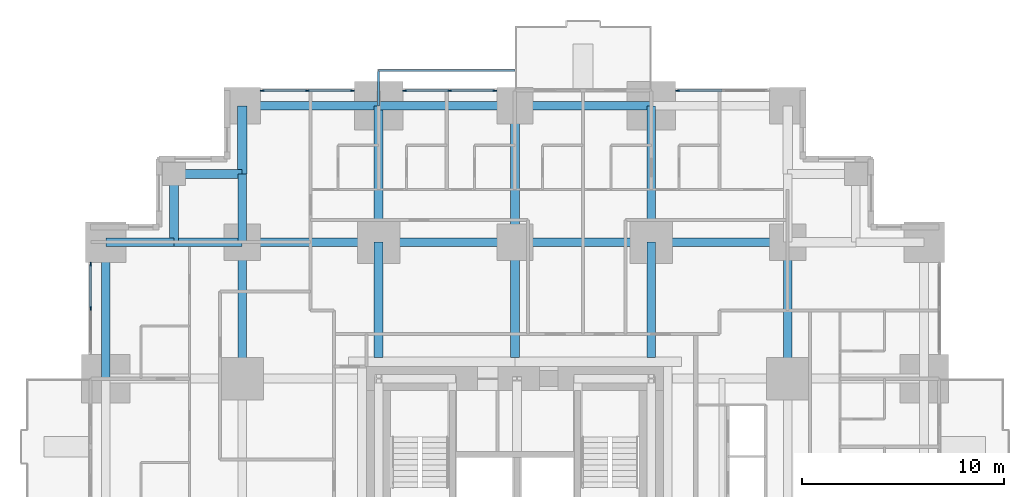
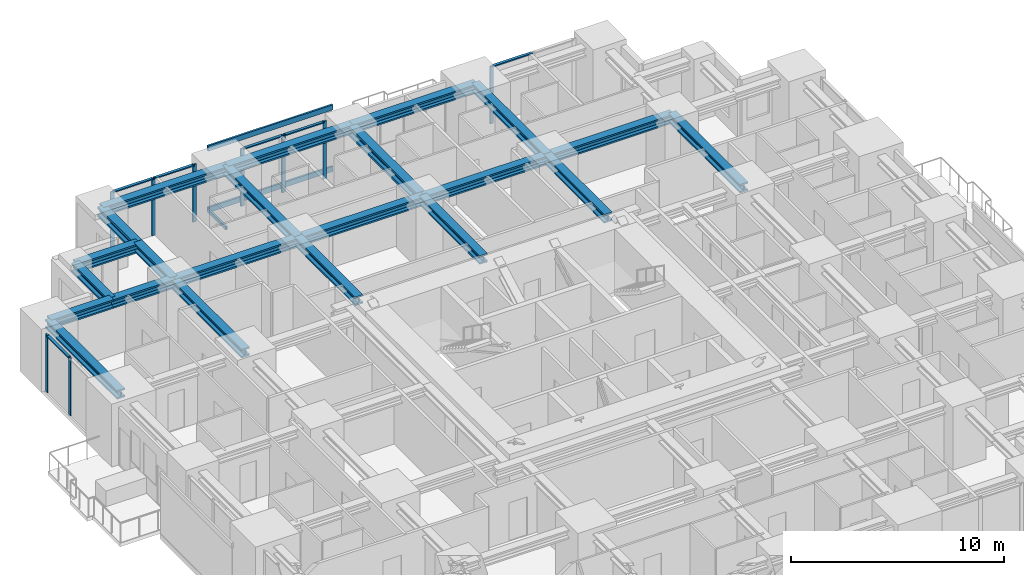
# One storey, part 5 of 15: 22 beams, 18 members, 4 elements without a shape of their own.
"""IFC4 building model written with IfcOpenShell, lengths in metres."""

import ifcopenshell
import ifcopenshell.guid

model = None  # the IFC model being written
_history = None  # IfcOwnerHistory: only IFC2X3 demands one
_inside = {}  # id of a spatial element -> (the spatial element, [elements in it])
_under = {}  # id of a project, library or spatial element -> (it, [spatial elements below it])
_declared = {}  # id of a project -> (the project, [libraries it declares])
_typed = {}  # id of a type object -> (the type object, [elements of that type])
_made_of = {}  # id of a material, layer set ... -> (it, [elements and type objects made of it])


def new_model(schema):
    """Start an empty IFC model of exactly this schema.

    Asked for "IFC4X3", IfcOpenShell would pick the latest addendum, in which some entities
    have other attributes; the version numbers below select the first issue.
    IFC2X3 requires an IfcOwnerHistory on every rooted entity: one is made here for all.
    """
    global model, _history
    if schema == "IFC4X3":
        model = ifcopenshell.file(schema_version=(4, 3, 0, 0))
    else:
        model = ifcopenshell.file(schema=schema)
    _inside.clear()
    _under.clear()
    _declared.clear()
    _typed.clear()
    _made_of.clear()
    _history = None
    if model.schema == "IFC2X3":
        org = make("IfcOrganization", Name="unknown")
        user = make(
            "IfcPersonAndOrganization",
            ThePerson=make("IfcPerson", FamilyName="unknown"),
            TheOrganization=org,
        )
        app = make(
            "IfcApplication",
            ApplicationDeveloper=org,
            Version="unknown",
            ApplicationFullName="unknown",
            ApplicationIdentifier="unknown",
        )
        _history = make(
            "IfcOwnerHistory",
            OwningUser=user,
            OwningApplication=app,
            ChangeAction="ADDED",
            CreationDate=0,
        )
    return model


def make(cls, **values):
    """One entity of the class cls with the attributes given. An attribute that is None is left unset."""
    return model.create_entity(
        cls, **{name: value for name, value in values.items() if value is not None}
    )


def rooted(cls, **values):
    """An entity with a GlobalId (a new one), such as an element, a storey or a relation."""
    return make(cls, GlobalId=ifcopenshell.guid.new(), OwnerHistory=_history, **values)


def si_unit(unit_type, name, prefix=None):
    """IfcSIUnit, for example si_unit("LENGTHUNIT", "METRE", prefix="MILLI")."""
    return make("IfcSIUnit", UnitType=unit_type, Prefix=prefix, Name=name)


def assignment(units):
    """IfcUnitAssignment: the units of a project."""
    return None if units is None else make("IfcUnitAssignment", Units=units)


def point(xyz):
    """IfcCartesianPoint."""
    return None if xyz is None else make("IfcCartesianPoint", Coordinates=xyz)


def direction(xyz):
    """IfcDirection."""
    return None if xyz is None else make("IfcDirection", DirectionRatios=xyz)


def frame(location, z_axis=None, x_axis=None):
    """IfcAxis2Placement3D, a coordinate frame: its origin and axes. An axis left out is left unset."""
    return make(
        "IfcAxis2Placement3D",
        Location=point(location),
        Axis=direction(z_axis),
        RefDirection=direction(x_axis),
    )


def frame_2d(location, x_axis=None):
    """IfcAxis2Placement2D, a coordinate frame in the plane: its origin and x axis."""
    return make(
        "IfcAxis2Placement2D", Location=point(location), RefDirection=direction(x_axis)
    )


def origin():
    """The frame at (0, 0, 0) with its axes left unset."""
    return frame((0.0, 0.0, 0.0))


def origin_2d():
    """The frame at (0, 0) in the plane with its x axis left unset."""
    return frame_2d((0.0, 0.0))


def place(relative_to, where):
    """IfcLocalPlacement: puts the frame where relative to a parent placement (None: the world)."""
    return make(
        "IfcLocalPlacement", PlacementRelTo=relative_to, RelativePlacement=where
    )


def context(
    kind, dimensions, precision=None, world=None, true_north=None, identifier=None
):
    """IfcGeometricRepresentationContext, for example the 3D "Model" context."""
    return make(
        "IfcGeometricRepresentationContext",
        ContextIdentifier=identifier,
        ContextType=kind,
        CoordinateSpaceDimension=dimensions,
        Precision=precision,
        WorldCoordinateSystem=world,
        TrueNorth=true_north,
    )


def subcontext(parent, identifier, kind, view, scale=None):
    """IfcGeometricRepresentationSubContext, for example "Body" below "Model"."""
    return make(
        "IfcGeometricRepresentationSubContext",
        ContextIdentifier=identifier,
        ContextType=kind,
        ParentContext=parent,
        TargetScale=scale,
        TargetView=view,
    )


def project(units=None, contexts=None):
    """IfcProject with its units and contexts."""
    return rooted(
        "IfcProject",
        Name="project",
        RepresentationContexts=contexts,
        UnitsInContext=assignment(units),
    )


def spatial(cls, under=None, at=None, **own):
    """A site, building, storey or space (cls), placed at a placement, below another one or the project."""
    s = rooted(cls, ObjectPlacement=at, **own)
    if under is not None:
        _under.setdefault(under.id(), (under, []))[1].append(s)
    return s


def profile(cls, at=None, kind="AREA", **sizes):
    """A parametric profile (cls). Its sizes go by their IFC names, for example OverallWidth=200.0."""
    return make(cls, ProfileType=kind, Position=at, **sizes)


def rectangle(**sizes):
    """IfcRectangleProfileDef."""
    return profile("IfcRectangleProfileDef", **sizes)


def hollow_rectangle(**sizes):
    """IfcRectangleHollowProfileDef."""
    return profile("IfcRectangleHollowProfileDef", **sizes)


def i_section(**sizes):
    """IfcIShapeProfileDef."""
    return profile("IfcIShapeProfileDef", **sizes)


def extrude(swept, where, along, depth):
    """IfcExtrudedAreaSolid: the profile swept, set in the frame where, extruded along a direction by depth."""
    return make(
        "IfcExtrudedAreaSolid",
        SweptArea=swept,
        Position=where,
        ExtrudedDirection=direction(along),
        Depth=depth,
    )


def shape(context_of_items, identifier, shape_type, items):
    """IfcShapeRepresentation: the items that make up one representation, for example the "Body"."""
    return make(
        "IfcShapeRepresentation",
        ContextOfItems=context_of_items,
        RepresentationIdentifier=identifier,
        RepresentationType=shape_type,
        Items=items,
    )


def material(Name=None, Category=None):
    """IfcMaterial."""
    return make("IfcMaterial", Name=Name, Category=Category)


def material_profile(
    of_material, cross_section, Name=None, Category=None, Priority=None
):
    """IfcMaterialProfile: a cross section and its material."""
    return make(
        "IfcMaterialProfile",
        Name=Name,
        Material=of_material,
        Profile=cross_section,
        Priority=Priority,
        Category=Category,
    )


def profile_set(profiles, Name=None, composite=None):
    """IfcMaterialProfileSet."""
    return make(
        "IfcMaterialProfileSet",
        Name=Name,
        MaterialProfiles=profiles,
        CompositeProfile=composite,
    )


def made_of(thing, what):
    """Note that an element or type object is made of a material, layer set ...; save() writes the relation."""
    if what is not None:
        _made_of.setdefault(what.id(), (what, []))[1].append(thing)
    return thing


def type_object(cls, material=None, **own):
    """A type object (cls), such as IfcWallType, which elements share."""
    return made_of(rooted(cls, **own), material)


def element(
    cls,
    number,
    at=None,
    inside=None,
    cuts=None,
    type_object=None,
    material=None,
    context=None,
    identifier="Body",
    shape_type=None,
    held_by="IfcProductDefinitionShape",
    body=None,
    shapes=None,
    **own,
):
    """One element of the class cls, such as IfcWall. Its Tag is "e" and its number.

    at: its placement. inside: the storey or other place that contains it. cuts: it is an
    opening in that element (IfcRelVoidsElement). A single representation is given by context,
    identifier, shape_type and body (its items); several are given by shapes. held_by: the class
    of the entity that holds the representations. save() writes the other relations.
    """
    e = rooted(cls, Tag="e%d" % number, ObjectPlacement=at, **own)
    if body is not None:
        shapes = [shape(context, identifier, shape_type, body)]
    if shapes is not None:
        e.Representation = make(held_by, Representations=shapes)
    if inside is not None:
        _inside.setdefault(inside.id(), (inside, []))[1].append(e)
    if cuts is not None:
        rooted(
            "IfcRelVoidsElement", RelatingBuildingElement=cuts, RelatedOpeningElement=e
        )
    if type_object is not None:
        _typed.setdefault(type_object.id(), (type_object, []))[1].append(e)
    return made_of(e, material)


def aggregate(whole, parts):
    """IfcRelAggregates: a whole, such as a stair, and the parts it consists of."""
    return rooted("IfcRelAggregates", RelatingObject=whole, RelatedObjects=parts)


def save(model, path):
    """Write the relations noted so far, then the file.

    IfcRelAggregates (storeys below a building ...), IfcRelContainedInSpatialStructure (elements
    in a storey), IfcRelDefinesByType, IfcRelAssociatesMaterial and IfcRelDeclares: one each for
    every whole, place, type object, material and project.
    """
    for whole, parts in _under.values():
        aggregate(whole, parts)
    for where, things in _inside.values():
        rooted(
            "IfcRelContainedInSpatialStructure",
            RelatedElements=things,
            RelatingStructure=where,
        )
    for kind, things in _typed.values():
        rooted("IfcRelDefinesByType", RelatedObjects=things, RelatingType=kind)
    for what, things in _made_of.values():
        rooted("IfcRelAssociatesMaterial", RelatedObjects=things, RelatingMaterial=what)
    for by, libraries in _declared.values():
        rooted("IfcRelDeclares", RelatingContext=by, RelatedDefinitions=libraries)
    model.write(path)


model = new_model("IFC4")

# Units and contexts
model_context = context("Model", 3, precision=1e-05, world=origin(), true_north=direction((0.0, 1.0)))
body_context = subcontext(model_context, "Body", "Model", "MODEL_VIEW")
ifc_project = project(units=[si_unit("LENGTHUNIT", "METRE"), si_unit("AREAUNIT", "SQUARE_METRE"), si_unit("VOLUMEUNIT", "CUBIC_METRE"), si_unit("PLANEANGLEUNIT", "RADIAN"), si_unit("MASSUNIT", "GRAM", prefix="KILO")], contexts=[model_context])

# Site, building, storey
site_placement = place(None, origin())
site = spatial("IfcSite", under=ifc_project, at=site_placement, CompositionType="ELEMENT")
building_placement = place(site_placement, origin())
building = spatial("IfcBuilding", under=site, at=building_placement, Name="Nyansa Garden Tower", CompositionType="ELEMENT")
storey_placement = place(building_placement, frame((0.0, 0.0, 72.0)))
storey = spatial("IfcBuildingStorey", under=building, at=storey_placement, Name="L19", CompositionType="ELEMENT", Elevation=72.0)

# Curtain wall, members
ifc_material_1 = material(Name="Black anodised aluminium, dark tinted double glazing", Category="aluminium")
curtain_wall_type = type_object("IfcCurtainWallType", Name="Inner skin curtain wall ISW-A", PredefinedType="USERDEFINED", material=ifc_material_1)
curtain_wall_1_placement = place(storey_placement, origin())
curtain_wall_1 = element("IfcCurtainWall", 1, at=curtain_wall_1_placement, inside=storey, type_object=curtain_wall_type, Name="Inner skin curtain wall L19 N", ObjectType="UNITISED CURTAIN WALL", PredefinedType="USERDEFINED")
ifc_material_2 = material(Name="Black anodised aluminium", Category="aluminium")
ifc_material_profile_1 = material_profile(ifc_material_2, rectangle(XDim=0.06494140625, YDim=0.199951171875, at=origin_2d()), Name="Mullion 200x65")
ifc_profile_set_1 = profile_set([ifc_material_profile_1], Name="Black anodised aluminium")
member_type_1 = type_object("IfcMemberType", Name="Mullion ISW-A 200x65", PredefinedType="MULLION", material=ifc_profile_set_1)
member_1_placement = place(storey_placement, frame((19.25, 41.25, 0.0), z_axis=(0.0, 0.0, 1.0), x_axis=(0.0, -1.0, 0.0)))
member_1 = element("IfcMember", 2, at=member_1_placement, type_object=member_type_1, Name="ISW-A mullion 1", PredefinedType="MULLION", context=body_context, shape_type="SweptSolid", body=[
    extrude(rectangle(XDim=0.06494140625, YDim=0.199951171875, at=origin_2d()), origin(), (0.0, 0.0, 1.0), 3.300048828125),
])
member_2_placement = place(storey_placement, frame((17.02490234375, 41.25, 0.0), z_axis=(0.0, 0.0, 1.0), x_axis=(0.0, -1.0, 0.0)))
member_2 = element("IfcMember", 3, at=member_2_placement, type_object=member_type_1, Name="ISW-A mullion 2", PredefinedType="MULLION", context=body_context, shape_type="SweptSolid", body=[
    extrude(rectangle(XDim=0.06494140625, YDim=0.199951171875, at=origin_2d()), origin(), (0.0, 0.0, 1.0), 3.300048828125),
])
member_3_placement = place(storey_placement, frame((14.800048828125, 41.25, 0.0), z_axis=(0.0, 0.0, 1.0), x_axis=(0.0, -1.0, 0.0)))
member_3 = element("IfcMember", 4, at=member_3_placement, type_object=member_type_1, Name="ISW-A mullion 3", PredefinedType="MULLION", context=body_context, shape_type="SweptSolid", body=[
    extrude(rectangle(XDim=0.06494140625, YDim=0.199951171875, at=origin_2d()), origin(), (0.0, 0.0, 1.0), 3.300048828125),
])

curtain_wall_2_placement = place(storey_placement, origin())
curtain_wall_2 = element("IfcCurtainWall", 5, at=curtain_wall_2_placement, inside=storey, type_object=curtain_wall_type, Name="Inner skin curtain wall L19 N", ObjectType="UNITISED CURTAIN WALL", PredefinedType="USERDEFINED")
member_4_placement = place(storey_placement, frame((12.199951171875, 41.25, 0.0), z_axis=(0.0, 0.0, 1.0), x_axis=(0.0, -1.0, 0.0)))
member_4 = element("IfcMember", 6, at=member_4_placement, type_object=member_type_1, Name="ISW-A mullion 1", PredefinedType="MULLION", context=body_context, shape_type="SweptSolid", body=[
    extrude(rectangle(XDim=0.06494140625, YDim=0.199951171875, at=origin_2d()), origin(), (0.0, 0.0, 1.0), 3.300048828125),
])
member_5_placement = place(storey_placement, frame((9.97509765625, 41.25, 0.0), z_axis=(0.0, 0.0, 1.0), x_axis=(0.0, -1.0, 0.0)))
member_5 = element("IfcMember", 7, at=member_5_placement, type_object=member_type_1, Name="ISW-A mullion 2", PredefinedType="MULLION", context=body_context, shape_type="SweptSolid", body=[
    extrude(rectangle(XDim=0.06494140625, YDim=0.199951171875, at=origin_2d()), origin(), (0.0, 0.0, 1.0), 3.300048828125),
])
member_6_placement = place(storey_placement, frame((7.75, 41.25, 0.0), z_axis=(0.0, 0.0, 1.0), x_axis=(0.0, -1.0, 0.0)))
member_6 = element("IfcMember", 8, at=member_6_placement, type_object=member_type_1, Name="ISW-A mullion 3", PredefinedType="MULLION", context=body_context, shape_type="SweptSolid", body=[
    extrude(rectangle(XDim=0.06494140625, YDim=0.199951171875, at=origin_2d()), origin(), (0.0, 0.0, 1.0), 3.300048828125),
])

# Curtain wall, member
curtain_wall_3_placement = place(storey_placement, origin())
curtain_wall_3 = element("IfcCurtainWall", 9, at=curtain_wall_3_placement, inside=storey, type_object=curtain_wall_type, Name="Inner skin curtain wall L19 N", ObjectType="UNITISED CURTAIN WALL", PredefinedType="USERDEFINED")
member_7_placement = place(storey_placement, frame((28.300048828125, 41.25, 0.0), z_axis=(0.0, 0.0, 1.0), x_axis=(0.0, -1.0, 0.0)))
member_7 = element("IfcMember", 10, at=member_7_placement, type_object=member_type_1, Name="ISW-A mullion 3", PredefinedType="MULLION", context=body_context, shape_type="SweptSolid", body=[
    extrude(rectangle(XDim=0.06494140625, YDim=0.199951171875, at=origin_2d()), origin(), (0.0, 0.0, 1.0), 3.300048828125),
])

# Curtain wall, members
curtain_wall_4_placement = place(storey_placement, origin())
curtain_wall_4 = element("IfcCurtainWall", 11, at=curtain_wall_4_placement, inside=storey, type_object=curtain_wall_type, Name="Inner skin curtain wall L19 W", ObjectType="UNITISED CURTAIN WALL", PredefinedType="USERDEFINED")
member_8_placement = place(storey_placement, frame((-0.75, 32.64990234375, 0.0), z_axis=(0.0, 0.0, 1.0), x_axis=(1.0, 0.0, 0.0)))
member_8 = element("IfcMember", 12, at=member_8_placement, type_object=member_type_1, Name="ISW-A mullion 1", PredefinedType="MULLION", context=body_context, shape_type="SweptSolid", body=[
    extrude(rectangle(XDim=0.06494140625, YDim=0.199951171875, at=origin_2d()), origin(), (0.0, 0.0, 1.0), 3.300048828125),
])
member_9_placement = place(storey_placement, frame((-0.75, 30.47509765625, 0.0), z_axis=(0.0, 0.0, 1.0), x_axis=(1.0, 0.0, 0.0)))
member_9 = element("IfcMember", 13, at=member_9_placement, type_object=member_type_1, Name="ISW-A mullion 2", PredefinedType="MULLION", context=body_context, shape_type="SweptSolid", body=[
    extrude(rectangle(XDim=0.06494140625, YDim=0.199951171875, at=origin_2d()), origin(), (0.0, 0.0, 1.0), 3.300048828125),
])

# Members
ifc_material_3 = material(Name="Steel S355, black powder coated", Category="steel")
ifc_material_profile_2 = material_profile(ifc_material_3, hollow_rectangle(XDim=0.10009765625, YDim=0.199951171875, WallThickness=0.008056640625, at=origin_2d()), Name="RHS 200x100x8")
ifc_profile_set_2 = profile_set([ifc_material_profile_2], Name="Steel S355, black powder coated")
member_type_2 = type_object("IfcMemberType", Name="Outer skin bracket arm RHS 200x100x8", PredefinedType="USERDEFINED", material=ifc_profile_set_2)
member_10_placement = place(storey_placement, frame((13.5, 40.5, -0.375), z_axis=(0.0, 1.0, 0.0), x_axis=(-1.0, 0.0, 0.0)))
element("IfcMember", 14, at=member_10_placement, inside=storey, type_object=member_type_2, Name="Outer skin bracket arm", ObjectType="OUTER SKIN BRACKET", PredefinedType="USERDEFINED", context=body_context, shape_type="SweptSolid", body=[
    extrude(hollow_rectangle(XDim=0.10009765625, YDim=0.199951171875, WallThickness=0.008056640625, at=origin_2d()), origin(), (0.0, 0.0, 1.0), 1.75),
])
ifc_material_4 = material(Name="Steel S355, black powder coated", Category="steel")
ifc_material_profile_3 = material_profile(ifc_material_4, hollow_rectangle(XDim=0.10009765625, YDim=0.300048828125, WallThickness=0.010009765625, at=origin_2d()), Name="RHS 300x100x10")
ifc_profile_set_3 = profile_set([ifc_material_profile_3], Name="Steel S355, black powder coated")
member_type_3 = type_object("IfcMemberType", Name="Outer skin rail RHS 300x100x10", PredefinedType="USERDEFINED", material=ifc_profile_set_3)
for number, where, z_axis, x_axis, name in (
    (15, (13.5, 42.25, -0.375), (1.0, 0.0, 0.0), (0.0, 1.0, 0.0), "Outer skin rail L19"),
    (16, (13.5, 42.25, 3.14990234375), (1.0, 0.0, 0.0), (0.0, 1.0, 0.0), "Outer skin rail L19 head"),
):
    element("IfcMember", number, at=place(storey_placement, frame(where, z_axis=z_axis, x_axis=x_axis)), inside=storey, type_object=member_type_3, Name=name, ObjectType="OUTER SKIN RAIL", PredefinedType="USERDEFINED", context=body_context, shape_type="SweptSolid", body=[
        extrude(hollow_rectangle(XDim=0.10009765625, YDim=0.300048828125, WallThickness=0.010009765625, at=origin_2d()), origin(), (0.0, 0.0, 1.0), 6.75),
    ])

# Beams
ifc_material_5 = material(Name="Steel S355", Category="steel")
ifc_material_profile_4 = material_profile(ifc_material_5, i_section(OverallWidth=0.4541015625, OverallDepth=0.569091796875, WebThickness=0.077880859375, FlangeThickness=0.125, FilletRadius=0.014892578125, at=origin_2d()), Name="HD 400x1086")
ifc_profile_set_4 = profile_set([ifc_material_profile_4], Name="Steel S355")
beam_type_1 = type_object("IfcBeamType", Name="Steel beam SBA2-1086 HD 400x1086", PredefinedType="BEAM", material=ifc_profile_set_4)
beam_1_placement = place(storey_placement, frame((20.25, 33.75, 3.015380859375), z_axis=(0.0, 1.0, 0.0), x_axis=(-1.0, 0.0, 0.0)))
element("IfcBeam", 17, at=beam_1_placement, inside=storey, type_object=beam_type_1, Name="Steel beam 5/J-5/K L20", PredefinedType="BEAM", context=body_context, shape_type="SweptSolid", body=[
    extrude(i_section(OverallWidth=0.4541015625, OverallDepth=0.569091796875, WebThickness=0.077880859375, FlangeThickness=0.125, FilletRadius=0.014892578125, at=origin_2d()), origin(), (0.0, 0.0, 1.0), 6.75),
])
ifc_material_6 = material(Name="Steel S355", Category="steel")
ifc_material_profile_5 = material_profile(ifc_material_6, i_section(OverallWidth=0.431884765625, OverallDepth=0.498046875, WebThickness=0.0556640625, FlangeThickness=0.0888671875, FilletRadius=0.014892578125, at=origin_2d()), Name="HD 400x744")
ifc_profile_set_5 = profile_set([ifc_material_profile_5], Name="Steel S355")
beam_type_2 = type_object("IfcBeamType", Name="Steel beam SBA2-744 HD 400x744", PredefinedType="BEAM", material=ifc_profile_set_5)
beam_2_placement = place(storey_placement, frame((3.375, 33.75, 3.051025390625), z_axis=(1.0, 0.0, 0.0), x_axis=(0.0, 1.0, 0.0)))
element("IfcBeam", 18, at=beam_2_placement, inside=storey, type_object=beam_type_2, Name="Steel beam 3.375/J-3/J L20", PredefinedType="BEAM", context=body_context, shape_type="SweptSolid", body=[
    extrude(i_section(OverallWidth=0.431884765625, OverallDepth=0.498046875, WebThickness=0.0556640625, FlangeThickness=0.0888671875, FilletRadius=0.014892578125, at=origin_2d()), origin(), (0.0, 0.0, 1.0), 3.375),
])
beam_3_placement = place(storey_placement, frame((6.75, 27.0, 3.051025390625), z_axis=(0.0, 1.0, 0.0), x_axis=(-1.0, 0.0, 0.0)))
element("IfcBeam", 19, at=beam_3_placement, inside=storey, type_object=beam_type_2, Name="Steel beam 3/H-3/J L20", PredefinedType="BEAM", context=body_context, shape_type="SweptSolid", body=[
    extrude(i_section(OverallWidth=0.431884765625, OverallDepth=0.498046875, WebThickness=0.0556640625, FlangeThickness=0.0888671875, FilletRadius=0.014892578125, at=origin_2d()), origin(), (0.0, 0.0, 1.0), 6.75),
])
beam_4_placement = place(storey_placement, frame((6.75, 33.75, 3.051025390625), z_axis=(0.0, 1.0, 0.0), x_axis=(-1.0, 0.0, 0.0)))
element("IfcBeam", 20, at=beam_4_placement, inside=storey, type_object=beam_type_2, Name="Steel beam 3/J-3/37.125 L20", PredefinedType="BEAM", context=body_context, shape_type="SweptSolid", body=[
    extrude(i_section(OverallWidth=0.431884765625, OverallDepth=0.498046875, WebThickness=0.0556640625, FlangeThickness=0.0888671875, FilletRadius=0.014892578125, at=origin_2d()), origin(), (0.0, 0.0, 1.0), 3.375),
])
for number, where, z_axis, x_axis, name in (
    (21, (6.75, 33.75, 3.051025390625), (1.0, 0.0, 0.0), (0.0, 1.0, 0.0), "Steel beam 3/J-4/J L20"),
    (22, (13.5, 33.75, 3.051025390625), (1.0, 0.0, 0.0), (0.0, 1.0, 0.0), "Steel beam 4/J-5/J L20"),
):
    element("IfcBeam", number, at=place(storey_placement, frame(where, z_axis=z_axis, x_axis=x_axis)), inside=storey, type_object=beam_type_2, Name=name, PredefinedType="BEAM", context=body_context, shape_type="SweptSolid", body=[
        extrude(i_section(OverallWidth=0.431884765625, OverallDepth=0.498046875, WebThickness=0.0556640625, FlangeThickness=0.0888671875, FilletRadius=0.014892578125, at=origin_2d()), origin(), (0.0, 0.0, 1.0), 6.75),
    ])
beam_5_placement = place(storey_placement, frame((20.25, 28.050048828125, 3.051025390625), z_axis=(0.0, 1.0, 0.0), x_axis=(-1.0, 0.0, 0.0)))
element("IfcBeam", 23, at=beam_5_placement, inside=storey, type_object=beam_type_2, Name="Steel beam 5/28.050-5/J L20", PredefinedType="BEAM", context=body_context, shape_type="SweptSolid", body=[
    extrude(i_section(OverallWidth=0.431884765625, OverallDepth=0.498046875, WebThickness=0.0556640625, FlangeThickness=0.0888671875, FilletRadius=0.014892578125, at=origin_2d()), origin(), (0.0, 0.0, 1.0), 5.699951171875),
])
for number, where, z_axis, x_axis, name in (
    (24, (20.25, 33.75, 3.051025390625), (1.0, 0.0, 0.0), (0.0, 1.0, 0.0), "Steel beam 5/J-6/J L20"),
    (25, (27.0, 33.75, 3.051025390625), (1.0, 0.0, 0.0), (0.0, 1.0, 0.0), "Steel beam 6/J-7/J L20"),
    (26, (33.75, 27.0, 3.051025390625), (0.0, 1.0, 0.0), (-1.0, 0.0, 0.0), "Steel beam 7/H-7/J L20"),
):
    element("IfcBeam", number, at=place(storey_placement, frame(where, z_axis=z_axis, x_axis=x_axis)), inside=storey, type_object=beam_type_2, Name=name, PredefinedType="BEAM", context=body_context, shape_type="SweptSolid", body=[
        extrude(i_section(OverallWidth=0.431884765625, OverallDepth=0.498046875, WebThickness=0.0556640625, FlangeThickness=0.0888671875, FilletRadius=0.014892578125, at=origin_2d()), origin(), (0.0, 0.0, 1.0), 6.75),
    ])
ifc_material_7 = material(Name="Steel S355", Category="steel")
ifc_material_profile_6 = material_profile(ifc_material_7, i_section(OverallWidth=0.431884765625, OverallDepth=0.498046875, WebThickness=0.0556640625, FlangeThickness=0.0888671875, FilletRadius=0.014892578125, at=origin_2d()), Name="HD 400x744")
ifc_profile_set_6 = profile_set([ifc_material_profile_6], Name="Steel S355")
beam_type_3 = type_object("IfcBeamType", Name="Steel beam SEBA-744 HD 400x744", PredefinedType="BEAM", material=ifc_profile_set_6)
for number, where, z_axis, x_axis, name in (
    (27, (0.0, 27.0, 3.051025390625), (0.0, 1.0, 0.0), (-1.0, 0.0, 0.0), "Steel edge beam 2/H-2/J L20"),
    (28, (6.75, 40.5, 3.051025390625), (1.0, 0.0, 0.0), (0.0, 1.0, 0.0), "Steel edge beam 3/K-4/K L20"),
    (29, (13.5, 40.5, 3.051025390625), (1.0, 0.0, 0.0), (0.0, 1.0, 0.0), "Steel edge beam 4/K-5/K L20"),
    (30, (20.25, 40.5, 3.051025390625), (1.0, 0.0, 0.0), (0.0, 1.0, 0.0), "Steel edge beam 5/K-6/K L20"),
):
    element("IfcBeam", number, at=place(storey_placement, frame(where, z_axis=z_axis, x_axis=x_axis)), inside=storey, type_object=beam_type_3, Name=name, PredefinedType="BEAM", context=body_context, shape_type="SweptSolid", body=[
        extrude(i_section(OverallWidth=0.431884765625, OverallDepth=0.498046875, WebThickness=0.0556640625, FlangeThickness=0.0888671875, FilletRadius=0.014892578125, at=origin_2d()), origin(), (0.0, 0.0, 1.0), 6.75),
    ])
ifc_material_8 = material(Name="Steel S355", Category="steel")
ifc_material_profile_7 = material_profile(ifc_material_8, i_section(OverallWidth=0.4541015625, OverallDepth=0.569091796875, WebThickness=0.077880859375, FlangeThickness=0.125, FilletRadius=0.014892578125, at=origin_2d()), Name="HD 400x1086")
ifc_profile_set_7 = profile_set([ifc_material_profile_7], Name="Steel S355")
beam_type_4 = type_object("IfcBeamType", Name="Steel beam SEBA2-1086 HD 400x1086", PredefinedType="BEAM", material=ifc_profile_set_7)
beam_6_placement = place(storey_placement, frame((6.75, 37.125, 3.015380859375), z_axis=(0.0, 1.0, 0.0), x_axis=(-1.0, 0.0, 0.0)))
element("IfcBeam", 31, at=beam_6_placement, inside=storey, type_object=beam_type_4, Name="Steel edge beam 3/37.125-3/K L20", PredefinedType="BEAM", context=body_context, shape_type="SweptSolid", body=[
    extrude(i_section(OverallWidth=0.4541015625, OverallDepth=0.569091796875, WebThickness=0.077880859375, FlangeThickness=0.125, FilletRadius=0.014892578125, at=origin_2d()), origin(), (0.0, 0.0, 1.0), 3.375),
])
ifc_material_9 = material(Name="Steel S355", Category="steel")
ifc_material_profile_8 = material_profile(ifc_material_9, i_section(OverallWidth=0.431884765625, OverallDepth=0.498046875, WebThickness=0.0556640625, FlangeThickness=0.0888671875, FilletRadius=0.014892578125, at=origin_2d()), Name="HD 400x744")
ifc_profile_set_8 = profile_set([ifc_material_profile_8], Name="Steel S355")
beam_type_5 = type_object("IfcBeamType", Name="Steel beam SEBA2-744 HD 400x744", PredefinedType="BEAM", material=ifc_profile_set_8)
beam_7_placement = place(storey_placement, frame((0.0, 33.75, 3.051025390625), z_axis=(1.0, 0.0, 0.0), x_axis=(0.0, 1.0, 0.0)))
element("IfcBeam", 32, at=beam_7_placement, inside=storey, type_object=beam_type_5, Name="Steel edge beam 2/J-3.375/J L20", PredefinedType="BEAM", context=body_context, shape_type="SweptSolid", body=[
    extrude(i_section(OverallWidth=0.431884765625, OverallDepth=0.498046875, WebThickness=0.0556640625, FlangeThickness=0.0888671875, FilletRadius=0.014892578125, at=origin_2d()), origin(), (0.0, 0.0, 1.0), 3.375),
])
ifc_material_10 = material(Name="Steel S355", Category="steel")
ifc_material_profile_9 = material_profile(ifc_material_10, i_section(OverallWidth=0.431884765625, OverallDepth=0.498046875, WebThickness=0.0556640625, FlangeThickness=0.0888671875, FilletRadius=0.014892578125, at=origin_2d()), Name="HD 400x744")
ifc_profile_set_9 = profile_set([ifc_material_profile_9], Name="Steel S355")
beam_type_6 = type_object("IfcBeamType", Name="Steel beam SOC1-744 HD 400x744", PredefinedType="BEAM", material=ifc_profile_set_9)
beam_8_placement = place(storey_placement, frame((13.5, 28.050048828125, 3.051025390625), z_axis=(0.0, 1.0, 0.0), x_axis=(-1.0, 0.0, 0.0)))
element("IfcBeam", 33, at=beam_8_placement, inside=storey, type_object=beam_type_6, Name="Steel beam 4/28.050-4/J L20", PredefinedType="BEAM", context=body_context, shape_type="SweptSolid", body=[
    extrude(i_section(OverallWidth=0.431884765625, OverallDepth=0.498046875, WebThickness=0.0556640625, FlangeThickness=0.0888671875, FilletRadius=0.014892578125, at=origin_2d()), origin(), (0.0, 0.0, 1.0), 5.699951171875),
])
beam_9_placement = place(storey_placement, frame((13.5, 33.75, 3.051025390625), z_axis=(0.0, 1.0, 0.0), x_axis=(-1.0, 0.0, 0.0)))
element("IfcBeam", 34, at=beam_9_placement, inside=storey, type_object=beam_type_6, Name="Steel beam 4/J-4/K L20", PredefinedType="BEAM", context=body_context, shape_type="SweptSolid", body=[
    extrude(i_section(OverallWidth=0.431884765625, OverallDepth=0.498046875, WebThickness=0.0556640625, FlangeThickness=0.0888671875, FilletRadius=0.014892578125, at=origin_2d()), origin(), (0.0, 0.0, 1.0), 6.75),
])
beam_10_placement = place(storey_placement, frame((27.0, 28.050048828125, 3.051025390625), z_axis=(0.0, 1.0, 0.0), x_axis=(-1.0, 0.0, 0.0)))
element("IfcBeam", 35, at=beam_10_placement, inside=storey, type_object=beam_type_6, Name="Steel beam 6/28.050-6/J L20", PredefinedType="BEAM", context=body_context, shape_type="SweptSolid", body=[
    extrude(i_section(OverallWidth=0.431884765625, OverallDepth=0.498046875, WebThickness=0.0556640625, FlangeThickness=0.0888671875, FilletRadius=0.014892578125, at=origin_2d()), origin(), (0.0, 0.0, 1.0), 5.699951171875),
])
beam_11_placement = place(storey_placement, frame((27.0, 33.75, 3.051025390625), z_axis=(0.0, 1.0, 0.0), x_axis=(-1.0, 0.0, 0.0)))
element("IfcBeam", 36, at=beam_11_placement, inside=storey, type_object=beam_type_6, Name="Steel beam 6/J-6/K L20", PredefinedType="BEAM", context=body_context, shape_type="SweptSolid", body=[
    extrude(i_section(OverallWidth=0.431884765625, OverallDepth=0.498046875, WebThickness=0.0556640625, FlangeThickness=0.0888671875, FilletRadius=0.014892578125, at=origin_2d()), origin(), (0.0, 0.0, 1.0), 6.75),
])
ifc_material_11 = material(Name="Steel S355", Category="steel")
ifc_material_profile_10 = material_profile(ifc_material_11, i_section(OverallWidth=0.431884765625, OverallDepth=0.498046875, WebThickness=0.0556640625, FlangeThickness=0.0888671875, FilletRadius=0.014892578125, at=origin_2d()), Name="HD 400x744")
ifc_profile_set_10 = profile_set([ifc_material_profile_10], Name="Steel S355")
beam_type_7 = type_object("IfcBeamType", Name="Steel beam SSB1-744 HD 400x744", PredefinedType="BEAM", material=ifc_profile_set_10)
for number, where, z_axis, x_axis, name in (
    (37, (3.375, 37.125, 3.051025390625), (0.0, -1.0, 0.0), (1.0, 0.0, 0.0), "Steel step beam 3.375/37.125 L20"),
    (38, (3.375, 37.125, 3.051025390625), (1.0, 0.0, 0.0), (0.0, 1.0, 0.0), "Steel step beam 3.375/37.125 L20"),
):
    element("IfcBeam", number, at=place(storey_placement, frame(where, z_axis=z_axis, x_axis=x_axis)), inside=storey, type_object=beam_type_7, Name=name, PredefinedType="BEAM", context=body_context, shape_type="SweptSolid", body=[
        extrude(i_section(OverallWidth=0.431884765625, OverallDepth=0.498046875, WebThickness=0.0556640625, FlangeThickness=0.0888671875, FilletRadius=0.014892578125, at=origin_2d()), origin(), (0.0, 0.0, 1.0), 3.375),
    ])

# Member
ifc_material_12 = material(Name="Black anodised aluminium", Category="aluminium")
ifc_material_profile_11 = material_profile(ifc_material_12, rectangle(XDim=0.14990234375, YDim=0.06494140625, at=origin_2d()), Name="Transom 150x65")
ifc_profile_set_11 = profile_set([ifc_material_profile_11], Name="Black anodised aluminium")
member_type_4 = type_object("IfcMemberType", Name="Transom ISW-A 150x65", PredefinedType="USERDEFINED", material=ifc_profile_set_11)
member_11_placement = place(storey_placement, frame((19.217529296875, 41.25, 3.267578125), z_axis=(-1.0, 0.0, 0.0), x_axis=(0.0, -1.0, 0.0)))
member_11 = element("IfcMember", 39, at=member_11_placement, type_object=member_type_4, Name="ISW-A transom 1", ObjectType="TRANSOM", PredefinedType="USERDEFINED", context=body_context, shape_type="SweptSolid", body=[
    extrude(rectangle(XDim=0.14990234375, YDim=0.06494140625, at=origin_2d()), origin(), (0.0, 0.0, 1.0), 2.159912109375),
])

member_12_placement = place(storey_placement, frame((16.992431640625, 41.25, 3.267578125), z_axis=(-1.0, 0.0, 0.0), x_axis=(0.0, -1.0, 0.0)))
member_12 = element("IfcMember", 40, at=member_12_placement, type_object=member_type_4, Name="ISW-A transom 2", ObjectType="TRANSOM", PredefinedType="USERDEFINED", context=body_context, shape_type="SweptSolid", body=[
    extrude(rectangle(XDim=0.14990234375, YDim=0.06494140625, at=origin_2d()), origin(), (0.0, 0.0, 1.0), 2.159912109375),
])

aggregate(curtain_wall_1, [member_1, member_2, member_3, member_11, member_12])

member_13_placement = place(storey_placement, frame((12.16748046875, 41.25, 3.267578125), z_axis=(-1.0, 0.0, 0.0), x_axis=(0.0, -1.0, 0.0)))
member_13 = element("IfcMember", 41, at=member_13_placement, type_object=member_type_4, Name="ISW-A transom 1", ObjectType="TRANSOM", PredefinedType="USERDEFINED", context=body_context, shape_type="SweptSolid", body=[
    extrude(rectangle(XDim=0.14990234375, YDim=0.06494140625, at=origin_2d()), origin(), (0.0, 0.0, 1.0), 2.159912109375),
])

member_14_placement = place(storey_placement, frame((9.9423828125, 41.25, 3.267578125), z_axis=(-1.0, 0.0, 0.0), x_axis=(0.0, -1.0, 0.0)))
member_14 = element("IfcMember", 42, at=member_14_placement, type_object=member_type_4, Name="ISW-A transom 2", ObjectType="TRANSOM", PredefinedType="USERDEFINED", context=body_context, shape_type="SweptSolid", body=[
    extrude(rectangle(XDim=0.14990234375, YDim=0.06494140625, at=origin_2d()), origin(), (0.0, 0.0, 1.0), 2.159912109375),
])

aggregate(curtain_wall_2, [member_4, member_5, member_6, member_13, member_14])

member_15_placement = place(storey_placement, frame((30.492431640625, 41.25, 3.267578125), z_axis=(-1.0, 0.0, 0.0), x_axis=(0.0, -1.0, 0.0)))
member_15 = element("IfcMember", 43, at=member_15_placement, type_object=member_type_4, Name="ISW-A transom 2", ObjectType="TRANSOM", PredefinedType="USERDEFINED", context=body_context, shape_type="SweptSolid", body=[
    extrude(rectangle(XDim=0.14990234375, YDim=0.06494140625, at=origin_2d()), origin(), (0.0, 0.0, 1.0), 2.159912109375),
])

aggregate(curtain_wall_3, [member_7, member_15])

member_16_placement = place(storey_placement, frame((-0.75, 32.617431640625, 3.267578125), z_axis=(0.0, -1.0, 0.0), x_axis=(1.0, 0.0, 0.0)))
member_16 = element("IfcMember", 44, at=member_16_placement, type_object=member_type_4, Name="ISW-A transom 1", ObjectType="TRANSOM", PredefinedType="USERDEFINED", context=body_context, shape_type="SweptSolid", body=[
    extrude(rectangle(XDim=0.14990234375, YDim=0.06494140625, at=origin_2d()), origin(), (0.0, 0.0, 1.0), 2.10986328125),
])

aggregate(curtain_wall_4, [member_8, member_9, member_16])

save(model, "model.ifc")
